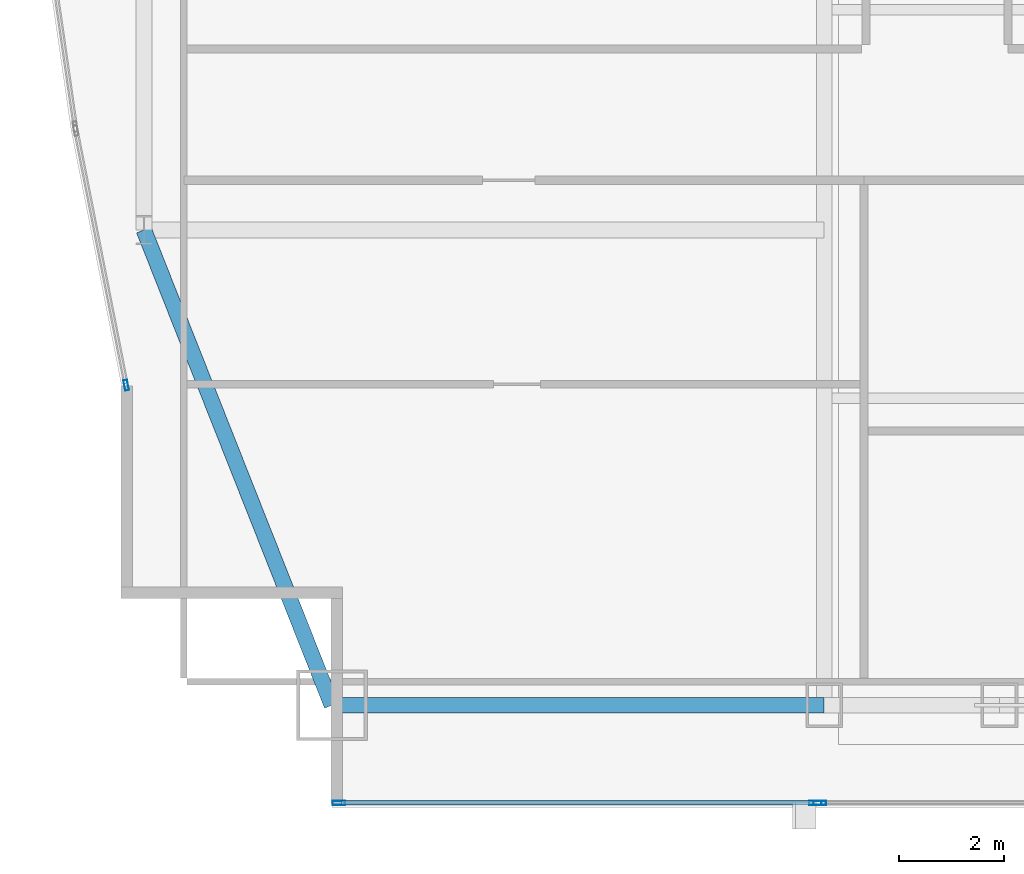
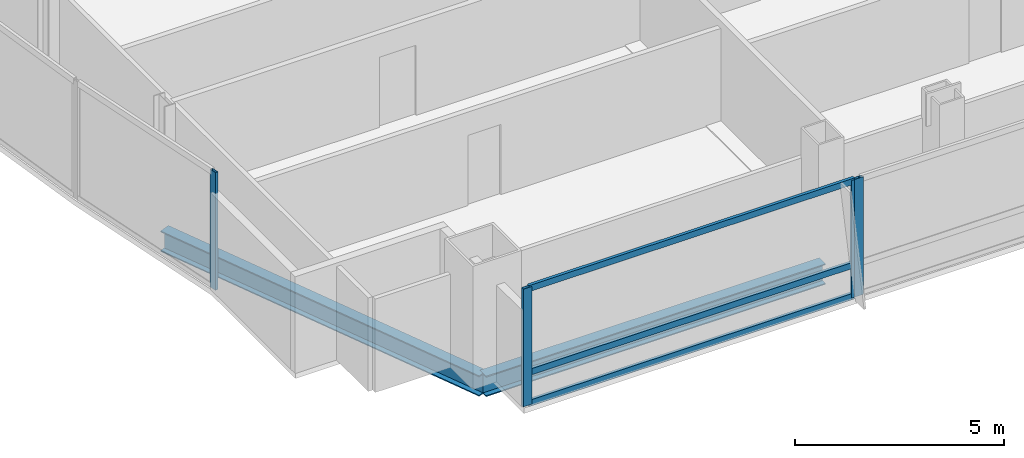
# One storey, part 5 of 29: 7 members, 2 beams, 3 elements without a shape of their own.
"""IFC4 building model written with IfcOpenShell, lengths in metres."""

from ifc_helpers import new_model, si_unit, direction, frame, origin, origin_2d, place, context, subcontext, project, spatial, hollow_rectangle, i_section, extrude, material, material_profile, profile_set, type_object, element, aggregate, save


model = new_model("IFC4")

# Units and contexts
model_context = context("Model", 3, precision=1e-05, world=origin(), true_north=direction((0.0, 1.0)))
body_context = subcontext(model_context, "Body", "Model", "MODEL_VIEW")
ifc_project = project(units=[si_unit("LENGTHUNIT", "METRE"), si_unit("AREAUNIT", "SQUARE_METRE"), si_unit("VOLUMEUNIT", "CUBIC_METRE"), si_unit("PLANEANGLEUNIT", "RADIAN"), si_unit("MASSUNIT", "GRAM", prefix="KILO")], contexts=[model_context])

# Site, building, storey
site_placement = place(None, origin())
site = spatial("IfcSite", under=ifc_project, at=site_placement, CompositionType="ELEMENT")
building_placement = place(site_placement, origin())
building = spatial("IfcBuilding", under=site, at=building_placement, Name="Khoronbel Lancet Exchange", CompositionType="ELEMENT")
storey_placement = place(building_placement, frame((0.0, 0.0, 154.199951171875)))
storey = spatial("IfcBuildingStorey", under=building, at=storey_placement, Name="L38", CompositionType="ELEMENT", Elevation=154.199951171875)

# Beams
ifc_material_1 = material(Name="Steel S355", Category="steel")
ifc_material_profile_1 = material_profile(ifc_material_1, i_section(OverallWidth=0.300048828125, OverallDepth=0.60009765625, WebThickness=0.015380859375, FlangeThickness=0.030029296875, at=origin_2d()), Name="HEB 600")
ifc_profile_set_1 = profile_set([ifc_material_profile_1], Name="Steel S355")
beam_type = type_object("IfcBeamType", Name="BM-BSP2", PredefinedType="SPANDREL", material=ifc_profile_set_1)
beam_1_placement = place(storey_placement, frame((8.85009765625, 10.14990234375, -0.4599609375), z_axis=(1.0, 0.0, 0.0), x_axis=(0.0, 1.0, 0.0)))
element("IfcBeam", 1, at=beam_1_placement, inside=storey, type_object=beam_type, Name="Level L38 perimeter spandrel beam SP01", PredefinedType="SPANDREL", context=body_context, shape_type="SweptSolid", body=[
    extrude(i_section(OverallWidth=0.300048828125, OverallDepth=0.60009765625, WebThickness=0.015380859375, FlangeThickness=0.030029296875, at=origin_2d()), origin(), (0.0, 0.0, 1.0), 9.375),
])
beam_2_placement = place(storey_placement, frame((5.27001953125, 19.199951171875, -0.4599609375), z_axis=(0.367850095026, -0.92988510451, 0.0), x_axis=(0.92988510451, 0.367850095026, 0.0)))
element("IfcBeam", 2, at=beam_2_placement, inside=storey, type_object=beam_type, Name="Level L38 perimeter spandrel beam SP21", PredefinedType="SPANDREL", context=body_context, shape_type="SweptSolid", body=[
    extrude(i_section(OverallWidth=0.300048828125, OverallDepth=0.60009765625, WebThickness=0.015380859375, FlangeThickness=0.030029296875, at=origin_2d()), origin(), (0.0, 0.0, 1.0), 9.732421875),
])

# Curtain wall, members
ifc_material_2 = material(Name="Low-E Solar Control Insulating Glass", Category="glass")
curtain_wall_type_1 = type_object("IfcCurtainWallType", Name="CW-3", PredefinedType="NOTDEFINED", material=ifc_material_2)
curtain_wall_1_placement = place(storey_placement, origin())
curtain_wall_1 = element("IfcCurtainWall", 3, at=curtain_wall_1_placement, inside=storey, type_object=curtain_wall_type_1, Name="Unitised curtain wall CW-L38-SWV", PredefinedType="NOTDEFINED")
ifc_material_3 = material(Name="Bronze-Anodised Aluminium 6063-T6", Category="aluminium")
ifc_material_profile_2 = material_profile(ifc_material_3, hollow_rectangle(XDim=0.0849609375, YDim=0.239990234375, WallThickness=0.006103515625, at=origin_2d()), Name="ALU MULLION 85x240")
ifc_profile_set_2 = profile_set([ifc_material_profile_2], Name="Bronze-Anodised Aluminium 6063-T6")
member_type_1 = type_object("IfcMemberType", Name="MEM-CWM1", PredefinedType="MULLION", material=ifc_profile_set_2)
member_1_placement = place(storey_placement, frame((8.982421875, 8.2900390625, 0.0), z_axis=(0.0, 0.0, 1.0), x_axis=(0.0, 1.0, 0.0)))
member_1 = element("IfcMember", 4, at=member_1_placement, type_object=member_type_1, Name="CW3 mullion 1", PredefinedType="MULLION", context=body_context, shape_type="SweptSolid", body=[
    extrude(hollow_rectangle(XDim=0.0849609375, YDim=0.239990234375, WallThickness=0.006103515625, at=origin_2d()), origin(), (0.0, 0.0, 1.0), 3.43994140625),
])
member_2_placement = place(storey_placement, frame((18.0576171875, 8.2900390625, 0.0), z_axis=(0.0, 0.0, 1.0), x_axis=(0.0, 1.0, 0.0)))
member_2 = element("IfcMember", 5, at=member_2_placement, type_object=member_type_1, Name="CW3 mullion 2", PredefinedType="MULLION", context=body_context, shape_type="SweptSolid", body=[
    extrude(hollow_rectangle(XDim=0.0849609375, YDim=0.239990234375, WallThickness=0.006103515625, at=origin_2d()), origin(), (0.0, 0.0, 1.0), 3.43994140625),
])

# Curtain wall, member
curtain_wall_2_placement = place(storey_placement, origin())
curtain_wall_2 = element("IfcCurtainWall", 6, at=curtain_wall_2_placement, inside=storey, type_object=curtain_wall_type_1, Name="Unitised curtain wall CW-L38-SWB", PredefinedType="NOTDEFINED")
member_3_placement = place(storey_placement, frame((18.142578125, 8.2900390625, 0.0), z_axis=(0.0, 0.0, 1.0), x_axis=(0.0, 1.0, 0.0)))
member_3 = element("IfcMember", 7, at=member_3_placement, type_object=member_type_1, Name="CW3 mullion 1", PredefinedType="MULLION", context=body_context, shape_type="SweptSolid", body=[
    extrude(hollow_rectangle(XDim=0.0849609375, YDim=0.239990234375, WallThickness=0.006103515625, at=origin_2d()), origin(), (0.0, 0.0, 1.0), 3.43994140625),
])
aggregate(curtain_wall_2, [member_3])

curtain_wall_type_2 = type_object("IfcCurtainWallType", Name="CW-4", PredefinedType="NOTDEFINED", material=ifc_material_2)
curtain_wall_3_placement = place(storey_placement, origin())
curtain_wall_3 = element("IfcCurtainWall", 8, at=curtain_wall_3_placement, inside=storey, type_object=curtain_wall_type_2, Name="Unitised curtain wall CW-L38-E04", PredefinedType="NOTDEFINED")
ifc_material_profile_3 = material_profile(ifc_material_3, hollow_rectangle(XDim=0.074951171875, YDim=0.199951171875, WallThickness=0.0048828125, at=origin_2d()), Name="ALU MULLION 75x200")
ifc_profile_set_3 = profile_set([ifc_material_profile_3], Name="Bronze-Anodised Aluminium 6063-T6")
member_type_2 = type_object("IfcMemberType", Name="MEM-CWM2", PredefinedType="MULLION", material=ifc_profile_set_3)
member_4_placement = place(storey_placement, frame((4.932861328125, 16.24560546875, 0.0), z_axis=(0.0, 0.0, 1.0), x_axis=(-0.981091608053, -0.193543939735, 0.0)))
member_4 = element("IfcMember", 9, at=member_4_placement, type_object=member_type_2, Name="CW4 mullion 1", PredefinedType="MULLION", context=body_context, shape_type="SweptSolid", body=[
    extrude(hollow_rectangle(XDim=0.074951171875, YDim=0.199951171875, WallThickness=0.0048828125, at=origin_2d()), origin(), (0.0, 0.0, 1.0), 3.43994140625),
])
aggregate(curtain_wall_3, [member_4])

# Member
ifc_material_profile_4 = material_profile(ifc_material_3, hollow_rectangle(XDim=0.0849609375, YDim=0.179931640625, WallThickness=0.0048828125, at=origin_2d()), Name="ALU TRANSOM 85x180")
ifc_profile_set_4 = profile_set([ifc_material_profile_4], Name="Bronze-Anodised Aluminium 6063-T6")
member_type_3 = type_object("IfcMemberType", Name="MEM-CWT1", PredefinedType="USERDEFINED", material=ifc_profile_set_4)
member_5_placement = place(storey_placement, frame((9.02490234375, 8.2900390625, 0.04248046875), z_axis=(1.0, 0.0, 0.0), x_axis=(0.0, 1.0, 0.0)))
member_5 = element("IfcMember", 10, at=member_5_placement, type_object=member_type_3, Name="CW3 transom 1.1", ObjectType="TRANSOM", PredefinedType="USERDEFINED", context=body_context, shape_type="SweptSolid", body=[
    extrude(hollow_rectangle(XDim=0.0849609375, YDim=0.179931640625, WallThickness=0.0048828125, at=origin_2d()), origin(), (0.0, 0.0, 1.0), 8.989990234375),
])

member_6_placement = place(storey_placement, frame((9.02490234375, 8.2900390625, 0.949951171875), z_axis=(1.0, 0.0, 0.0), x_axis=(0.0, 1.0, 0.0)))
member_6 = element("IfcMember", 11, at=member_6_placement, type_object=member_type_3, Name="CW3 transom 1.2", ObjectType="TRANSOM", PredefinedType="USERDEFINED", context=body_context, shape_type="SweptSolid", body=[
    extrude(hollow_rectangle(XDim=0.0849609375, YDim=0.179931640625, WallThickness=0.0048828125, at=origin_2d()), origin(), (0.0, 0.0, 1.0), 8.989990234375),
])

member_7_placement = place(storey_placement, frame((9.02490234375, 8.2900390625, 3.3974609375), z_axis=(1.0, 0.0, 0.0), x_axis=(0.0, 1.0, 0.0)))
member_7 = element("IfcMember", 12, at=member_7_placement, type_object=member_type_3, Name="CW3 transom 1.3", ObjectType="TRANSOM", PredefinedType="USERDEFINED", context=body_context, shape_type="SweptSolid", body=[
    extrude(hollow_rectangle(XDim=0.0849609375, YDim=0.179931640625, WallThickness=0.0048828125, at=origin_2d()), origin(), (0.0, 0.0, 1.0), 8.989990234375),
])

aggregate(curtain_wall_1, [member_1, member_2, member_5, member_6, member_7])

save(model, "model.ifc")
